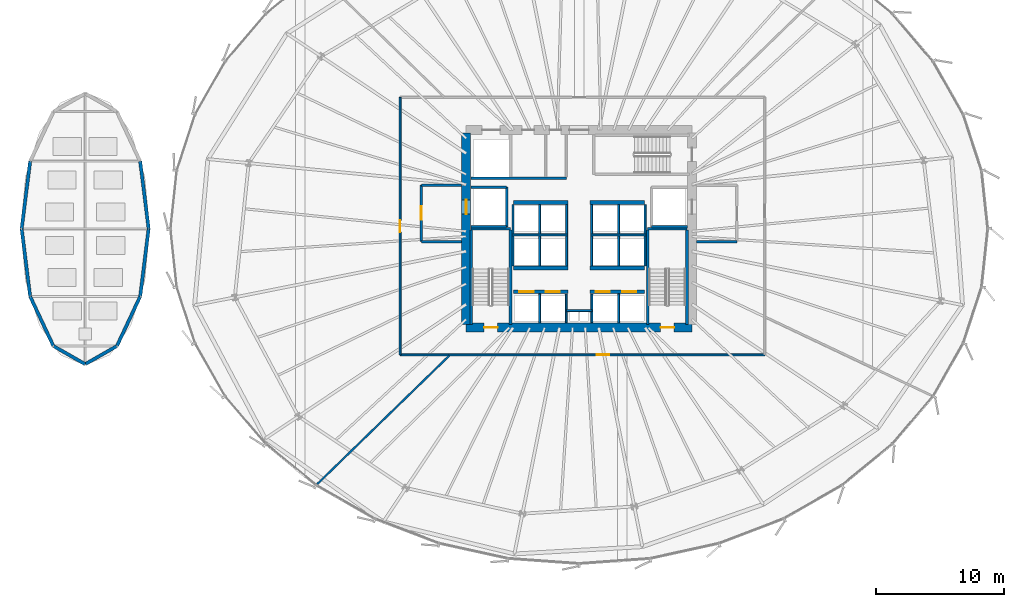
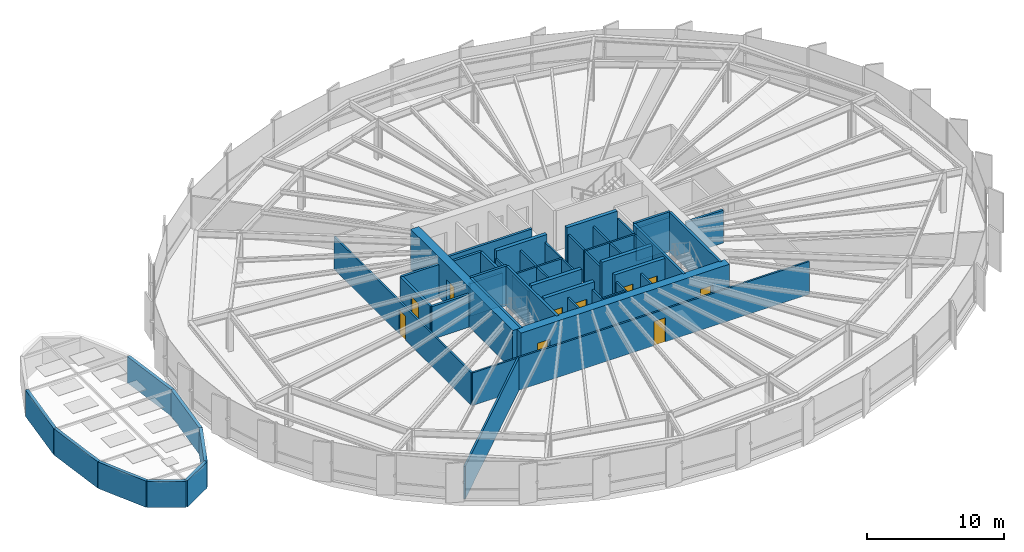
# One storey, part 29 of 38: 53 walls, 10 doors, 10 openings.
"""IFC4 building model written with IfcOpenShell, lengths in metres."""

from ifc_helpers import new_model, si_unit, direction, frame, frame_2d, origin, place, context, subcontext, project, spatial, rectangle, extrude, source, transform, mapped, material, layer, layer_set, type_object, element, fill, save


model = new_model("IFC4")

# Units and contexts
model_context = context("Model", 3, precision=1e-05, world=origin(), true_north=direction((0.0, 1.0)))
body_context = subcontext(model_context, "Body", "Model", "MODEL_VIEW")
ifc_project = project(units=[si_unit("LENGTHUNIT", "METRE"), si_unit("AREAUNIT", "SQUARE_METRE"), si_unit("VOLUMEUNIT", "CUBIC_METRE"), si_unit("PLANEANGLEUNIT", "RADIAN"), si_unit("MASSUNIT", "GRAM", prefix="KILO"), si_unit("THERMODYNAMICTEMPERATUREUNIT", "KELVIN")], contexts=[model_context])

# Site, building, storey
site_placement = place(None, origin())
site = spatial("IfcSite", under=ifc_project, at=site_placement, CompositionType="ELEMENT")
building_placement = place(site_placement, origin())
building = spatial("IfcBuilding", under=site, at=building_placement, Name="Kethvar Cultural Tower", CompositionType="ELEMENT")
storey_placement = place(building_placement, frame((0.0, 0.0, 29.60009765625)))
storey = spatial("IfcBuildingStorey", under=building, at=storey_placement, Name="L06", CompositionType="ELEMENT", Elevation=29.60009765625)

# Wall, openings, doors
ifc_material_1 = material(Name="Concrete C60/75", Category="concrete")
ifc_layer_1 = layer(ifc_material_1, 0.699951171875, Name="Concrete C60/75", Category="concrete")
ifc_layer_set_1 = layer_set([ifc_layer_1], Name="Concrete C60/75 (700 mm)")
wall_type_1 = type_object("IfcWallType", Name="WL-CORE-700", PredefinedType="SHEAR", material=ifc_layer_set_1)
wall_1_placement = place(storey_placement, frame((38.0, 20.10009765625, 0.0), z_axis=(0.0, 0.0, 1.0), x_axis=(1.0, 0.0, 0.0)))
wall_1 = element("IfcWall", 1, at=wall_1_placement, inside=storey, type_object=wall_type_1, Name="L06 Core Shear Wall S", PredefinedType="SHEAR", context=body_context, shape_type="SweptSolid", body=[
    extrude(rectangle(XDim=17.60009765625, YDim=0.699951171875, at=frame_2d((8.800048828125, 0.0))), origin(), (0.0, 0.0, 1.0), 3.5498046875),
])
opening_1_placement = place(wall_1_placement, frame((1.39990234375, 0.0, 0.0)))
opening_1 = element("IfcOpeningElement", 2, at=opening_1_placement, cuts=wall_1, Name="Opening D-L06-S1", PredefinedType="OPENING", context=body_context, shape_type="SweptSolid", body=[
    extrude(rectangle(XDim=1.050048828125, YDim=2.14990234375, at=frame_2d((0.52490234375, 1.074951171875))), frame((0.0, 0.35986328125, 0.0), z_axis=(0.0, -1.0, 0.0), x_axis=(1.0, 0.0, 0.0)), (0.0, 0.0, 1.0), 0.719970703125),
])
opening_2_placement = place(wall_1_placement, frame((15.14990234375, 0.0, 0.0)))
opening_2 = element("IfcOpeningElement", 3, at=opening_2_placement, cuts=wall_1, Name="Opening D-L06-ST2", PredefinedType="OPENING", context=body_context, shape_type="SweptSolid", body=[
    extrude(rectangle(XDim=1.050048828125, YDim=2.14990234375, at=frame_2d((0.52490234375, 1.074951171875))), frame((0.0, 0.35986328125, 0.0), z_axis=(0.0, -1.0, 0.0), x_axis=(1.0, 0.0, 0.0)), (0.0, 0.0, 1.0), 0.719970703125),
])
ifc_material_2 = material(Name="Steel S355J2", Category="steel")
door_type_1 = type_object("IfcDoorType", Name="DR-FD60-1050", OperationType="NOTDEFINED", PredefinedType="DOOR", material=ifc_material_2)
shared_shape_1 = source(origin(), body_context, "Body", "SweptSolid", [
    extrude(rectangle(XDim=1.050048828125, YDim=2.14990234375, at=frame_2d((0.52490234375, 1.074951171875))), frame((0.0, 0.02490234375, 0.0), z_axis=(0.0, -1.0, 0.0), x_axis=(1.0, 0.0, 0.0)), (0.0, 0.0, 1.0), 0.050048828125),
])
door_1_placement = place(opening_1_placement, origin())
door_1 = element("IfcDoor", 4, at=door_1_placement, inside=storey, type_object=door_type_1, Name="L06 Exit Stair 1 Door", OperationType="SINGLE_SWING_LEFT", OverallHeight=2.14990234375, OverallWidth=1.050048828125, PredefinedType="DOOR", context=body_context, shape_type="MappedRepresentation", body=[
    mapped(shared_shape_1, transform((0.0, 0.0, 0.0), scale=1.0)),
])
fill(opening_1, door_1)
door_2_placement = place(opening_2_placement, origin())
door_2 = element("IfcDoor", 5, at=door_2_placement, inside=storey, type_object=door_type_1, Name="L06 Exit Stair 2 Door", OperationType="SINGLE_SWING_RIGHT", OverallHeight=2.14990234375, OverallWidth=1.050048828125, PredefinedType="DOOR", context=body_context, shape_type="MappedRepresentation", body=[
    mapped(shared_shape_1, transform((0.0, 0.0, 0.0), scale=1.0)),
])
fill(opening_2, door_2)

# Wall, opening, door
wall_2_placement = place(storey_placement, frame((38.0, 35.260009765625, 0.0), z_axis=(0.0, 0.0, 1.0), x_axis=(0.0, -1.0, 0.0)))
wall_2 = element("IfcWall", 6, at=wall_2_placement, inside=storey, type_object=wall_type_1, Name="L06 Core Shear Wall W", PredefinedType="SHEAR", context=body_context, shape_type="SweptSolid", body=[
    extrude(rectangle(XDim=14.919921875, YDim=0.699951171875, at=frame_2d((7.4599609375, 0.0))), origin(), (0.0, 0.0, 1.0), 3.5498046875),
])
opening_3_placement = place(wall_2_placement, frame((5.2099609375, 0.0, 0.0)))
opening_3 = element("IfcOpeningElement", 7, at=opening_3_placement, cuts=wall_2, Name="Opening LD-1", PredefinedType="OPENING", context=body_context, shape_type="SweptSolid", body=[
    extrude(rectangle(XDim=1.10009765625, YDim=2.199951171875, at=frame_2d((0.550048828125, 1.10009765625))), frame((0.0, 0.35986328125, 0.0), z_axis=(0.0, -1.0, 0.0), x_axis=(1.0, 0.0, 0.0)), (0.0, 0.0, 1.0), 0.719970703125),
])
door_type_2 = type_object("IfcDoorType", Name="DR-LIFT-SLIDE-1100", OperationType="NOTDEFINED", PredefinedType="DOOR", material=ifc_material_2)
shared_shape_2 = source(origin(), body_context, "Body", "SweptSolid", [
    extrude(rectangle(XDim=1.10009765625, YDim=2.199951171875, at=frame_2d((0.550048828125, 1.10009765625))), frame((0.0, 0.02490234375, 0.0), z_axis=(0.0, -1.0, 0.0), x_axis=(1.0, 0.0, 0.0)), (0.0, 0.0, 1.0), 0.050048828125),
])
door_3_placement = place(opening_3_placement, origin())
door_3 = element("IfcDoor", 8, at=door_3_placement, inside=storey, type_object=door_type_2, Name="L06 Firefighting Lift Landing Door FFL-01", OperationType="SLIDING_TO_LEFT", OverallHeight=2.199951171875, OverallWidth=1.10009765625, PredefinedType="DOOR", context=body_context, shape_type="MappedRepresentation", body=[
    mapped(shared_shape_2, transform((0.0, 0.0, 0.0), scale=1.0)),
])
fill(opening_3, door_3)

# Walls
ifc_material_3 = material(Name="Gypsum Fireboard Partition")
ifc_layer_2 = layer(ifc_material_3, 0.14990234375, Name="Gypsum Fireboard Partition")
ifc_layer_set_2 = layer_set([ifc_layer_2], Name="Gypsum Fireboard Partition (150 mm)")
wall_type_2 = type_object("IfcWallType", Name="WL-FIRE-150", PredefinedType="PARTITIONING", material=ifc_layer_set_2)
wall_3_placement = place(storey_placement, frame((45.800048828125, 21.419921875, 0.0), z_axis=(0.0, 0.0, 1.0), x_axis=(1.0, 0.0, 0.0)))
element("IfcWall", 9, at=wall_3_placement, inside=storey, type_object=wall_type_2, Name="L06 Core Riser Wall", PredefinedType="PARTITIONING", context=body_context, shape_type="SweptSolid", body=[
    extrude(rectangle(XDim=2.0, YDim=0.14990234375, at=frame_2d((1.0, 0.0))), origin(), (0.0, 0.0, 1.0), 2.9248046875),
])
for number, where, z_axis, x_axis, name in (
    (10, (45.800048828125, 20.47998046875, 0.0), (0.0, 0.0, 1.0), (0.0, 1.0, 0.0), "L06 Core Riser West Wall"),
    (11, (47.800048828125, 20.47998046875, 0.0), (0.0, 0.0, 1.0), (0.0, 1.0, 0.0), "L06 Core Riser East Wall"),
):
    element("IfcWall", number, at=place(storey_placement, frame(where, z_axis=z_axis, x_axis=x_axis)), inside=storey, type_object=wall_type_2, Name=name, PredefinedType="PARTITIONING", context=body_context, shape_type="SweptSolid", body=[
        extrude(rectangle(XDim=2.239990234375, YDim=0.14990234375, at=frame_2d((1.1201171875, 0.0))), origin(), (0.0, 0.0, 1.0), 2.9248046875),
    ])
for number, where, z_axis, x_axis, name in (
    (12, (43.72509765625, 20.4599609375, 0.0), (0.0, 0.0, 1.0), (0.0, 1.0, 0.0), "L06 Low-Rise Lift Shaft Divider W"),
    (13, (49.875, 20.4599609375, 0.0), (0.0, 0.0, 1.0), (0.0, 1.0, 0.0), "L06 Low-Rise Lift Shaft Divider E"),
):
    element("IfcWall", number, at=place(storey_placement, frame(where, z_axis=z_axis, x_axis=x_axis)), inside=storey, type_object=wall_type_2, Name=name, PredefinedType="PARTITIONING", context=body_context, shape_type="SweptSolid", body=[
        extrude(rectangle(XDim=2.27001953125, YDim=0.14990234375, at=frame_2d((1.135009765625, 0.0))), origin(), (0.0, 0.0, 1.0), 2.9248046875),
    ])
wall_4_placement = place(storey_placement, frame((41.580078125, 27.324951171875, 0.0), z_axis=(0.0, 0.0, 1.0), x_axis=(1.0, 0.0, 0.0)))
element("IfcWall", 14, at=wall_4_placement, inside=storey, type_object=wall_type_2, Name="L06 Mid-High Lift Shaft Back Wall W", PredefinedType="PARTITIONING", context=body_context, shape_type="SweptSolid", body=[
    extrude(rectangle(XDim=4.31982421875, YDim=0.14990234375, at=frame_2d((2.159912109375, 0.0))), origin(), (0.0, 0.0, 1.0), 2.9248046875),
])
wall_5_placement = place(storey_placement, frame((47.699951171875, 27.324951171875, 0.0), z_axis=(0.0, 0.0, 1.0), x_axis=(1.0, 0.0, 0.0)))
element("IfcWall", 15, at=wall_5_placement, inside=storey, type_object=wall_type_2, Name="L06 Mid-High Lift Shaft Back Wall E", PredefinedType="PARTITIONING", context=body_context, shape_type="SweptSolid", body=[
    extrude(rectangle(XDim=4.320068359375, YDim=0.14990234375, at=frame_2d((2.16015625, 0.0))), origin(), (0.0, 0.0, 1.0), 2.9248046875),
])
for number, where, z_axis, x_axis, name in (
    (16, (41.64990234375, 24.919921875, 0.0), (0.0, 0.0, 1.0), (0.0, 1.0, 0.0), "L06 Mid-Rise Lift Shaft Outer Wall W"),
    (17, (43.72509765625, 24.919921875, 0.0), (0.0, 0.0, 1.0), (0.0, 1.0, 0.0), "L06 Mid-Rise Lift Shaft Divider W"),
    (18, (45.824951171875, 24.919921875, 0.0), (0.0, 0.0, 1.0), (0.0, 1.0, 0.0), "L06 Mid-Rise Lift Shaft Concourse Wall W"),
    (19, (47.77490234375, 24.919921875, 0.0), (0.0, 0.0, 1.0), (0.0, 1.0, 0.0), "L06 Mid-Rise Lift Shaft Concourse Wall E"),
    (20, (49.875, 24.919921875, 0.0), (0.0, 0.0, 1.0), (0.0, 1.0, 0.0), "L06 Mid-Rise Lift Shaft Divider E"),
    (21, (51.949951171875, 24.919921875, 0.0), (0.0, 0.0, 1.0), (0.0, 1.0, 0.0), "L06 Mid-Rise Lift Shaft Outer Wall E"),
):
    element("IfcWall", number, at=place(storey_placement, frame(where, z_axis=z_axis, x_axis=x_axis)), inside=storey, type_object=wall_type_2, Name=name, PredefinedType="PARTITIONING", context=body_context, shape_type="SweptSolid", body=[
        extrude(rectangle(XDim=2.320068359375, YDim=0.14990234375, at=frame_2d((1.16015625, 0.0))), origin(), (0.0, 0.0, 1.0), 2.9248046875),
    ])
for number, where, z_axis, x_axis, name in (
    (22, (41.64990234375, 27.409912109375, 0.0), (0.0, 0.0, 1.0), (0.0, 1.0, 0.0), "L06 High-Rise Lift Shaft Outer Wall W"),
    (23, (43.72509765625, 27.409912109375, 0.0), (0.0, 0.0, 1.0), (0.0, 1.0, 0.0), "L06 High-Rise Lift Shaft Divider W"),
    (24, (45.824951171875, 27.409912109375, 0.0), (0.0, 0.0, 1.0), (0.0, 1.0, 0.0), "L06 High-Rise Lift Shaft Concourse Wall W"),
    (25, (47.77490234375, 27.409912109375, 0.0), (0.0, 0.0, 1.0), (0.0, 1.0, 0.0), "L06 High-Rise Lift Shaft Concourse Wall E"),
    (26, (49.875, 27.409912109375, 0.0), (0.0, 0.0, 1.0), (0.0, 1.0, 0.0), "L06 High-Rise Lift Shaft Divider E"),
    (27, (51.949951171875, 27.409912109375, 0.0), (0.0, 0.0, 1.0), (0.0, 1.0, 0.0), "L06 High-Rise Lift Shaft Outer Wall E"),
):
    element("IfcWall", number, at=place(storey_placement, frame(where, z_axis=z_axis, x_axis=x_axis)), inside=storey, type_object=wall_type_2, Name=name, PredefinedType="PARTITIONING", context=body_context, shape_type="SweptSolid", body=[
        extrude(rectangle(XDim=2.27001953125, YDim=0.14990234375, at=frame_2d((1.135009765625, 0.0))), origin(), (0.0, 0.0, 1.0), 2.9248046875),
    ])

# Wall, opening, door
wall_6_placement = place(storey_placement, frame((32.85009765625, 17.97998046875, 0.0), z_axis=(0.0, 0.0, 1.0), x_axis=(1.0, 0.0, 0.0)))
wall_6 = element("IfcWall", 28, at=wall_6_placement, inside=storey, type_object=wall_type_2, Name="L06 Corridor Rated Wall S", PredefinedType="PARTITIONING", context=body_context, shape_type="SweptSolid", body=[
    extrude(rectangle(XDim=28.419921875, YDim=0.14990234375, at=frame_2d((14.2099609375, 0.0))), origin(), (0.0, 0.0, 1.0), 2.9248046875),
])
opening_4_placement = place(wall_6_placement, frame((15.333984375, 0.0, 0.0)))
opening_4 = element("IfcOpeningElement", 29, at=opening_4_placement, cuts=wall_6, Name="Opening D-L06-01", PredefinedType="OPENING", context=body_context, shape_type="SweptSolid", body=[
    extrude(rectangle(XDim=0.949951171875, YDim=2.14990234375, at=frame_2d((0.47509765625, 1.074951171875))), frame((0.0, 0.0849609375, 0.0), z_axis=(0.0, -1.0, 0.0), x_axis=(1.0, 0.0, 0.0)), (0.0, 0.0, 1.0), 0.169921875),
])
ifc_material_4 = material(Name="Architectural Oak Timber", Category="wood")
door_type_3 = type_object("IfcDoorType", Name="DR-FD30-950", OperationType="NOTDEFINED", PredefinedType="DOOR", material=ifc_material_4)
shared_shape_3 = source(origin(), body_context, "Body", "SweptSolid", [
    extrude(rectangle(XDim=0.949951171875, YDim=2.14990234375, at=frame_2d((0.47509765625, 1.074951171875))), frame((0.0, 0.02490234375, 0.0), z_axis=(0.0, -1.0, 0.0), x_axis=(1.0, 0.0, 0.0)), (0.0, 0.0, 1.0), 0.050048828125),
])
door_4_placement = place(opening_4_placement, origin())
door_4 = element("IfcDoor", 30, at=door_4_placement, inside=storey, type_object=door_type_3, Name="L06 Permanent Collection Library 01 Door", OperationType="SINGLE_SWING_LEFT", OverallHeight=2.14990234375, OverallWidth=0.949951171875, PredefinedType="DOOR", context=body_context, shape_type="MappedRepresentation", body=[
    mapped(shared_shape_3, transform((0.0, 0.0, 0.0), scale=1.0)),
])
fill(opening_4, door_4)

wall_7_placement = place(storey_placement, frame((32.85009765625, 38.0400390625, 0.0), z_axis=(0.0, 0.0, 1.0), x_axis=(0.0, -1.0, 0.0)))
wall_7 = element("IfcWall", 31, at=wall_7_placement, inside=storey, type_object=wall_type_2, Name="L06 Corridor Rated Wall W", PredefinedType="PARTITIONING", context=body_context, shape_type="SweptSolid", body=[
    extrude(rectangle(XDim=20.06005859375, YDim=0.14990234375, at=frame_2d((10.030029296875, 0.0))), origin(), (0.0, 0.0, 1.0), 2.9248046875),
])
opening_5_placement = place(wall_7_placement, frame((9.554931640625, 0.0, 0.0)))
opening_5 = element("IfcOpeningElement", 32, at=opening_5_placement, cuts=wall_7, Name="Opening D-L06-04", PredefinedType="OPENING", context=body_context, shape_type="SweptSolid", body=[
    extrude(rectangle(XDim=0.949951171875, YDim=2.14990234375, at=frame_2d((0.47509765625, 1.074951171875))), frame((0.0, 0.0849609375, 0.0), z_axis=(0.0, -1.0, 0.0), x_axis=(1.0, 0.0, 0.0)), (0.0, 0.0, 1.0), 0.169921875),
])
door_5_placement = place(opening_5_placement, origin())
door_5 = element("IfcDoor", 33, at=door_5_placement, inside=storey, type_object=door_type_3, Name="L06 Academic Study Lounge 04 Door", OperationType="SINGLE_SWING_RIGHT", OverallHeight=2.14990234375, OverallWidth=0.949951171875, PredefinedType="DOOR", context=body_context, shape_type="MappedRepresentation", body=[
    mapped(shared_shape_3, transform((0.0, 0.0, 0.0), scale=1.0)),
])
fill(opening_5, door_5)

# Walls
ifc_material_5 = material(Name="Concrete C40/50", Category="concrete")
ifc_layer_3 = layer(ifc_material_5, 0.199951171875, Name="Concrete C40/50", Category="concrete")
ifc_layer_set_3 = layer_set([ifc_layer_3], Name="Concrete C40/50 (200 mm)")
wall_type_3 = type_object("IfcWallType", Name="WL-FIRE-200", PredefinedType="PARTITIONING", material=ifc_layer_set_3)
wall_8_placement = place(storey_placement, frame((41.14990234375, 27.949951171875, 0.0), z_axis=(0.0, 0.0, 1.0), x_axis=(0.0, 1.0, 0.0)))
element("IfcWall", 34, at=wall_8_placement, inside=storey, type_object=wall_type_3, Name="L06 FFL-01 Shaft Inner Wall", PredefinedType="PARTITIONING", context=body_context, shape_type="SweptSolid", body=[
    extrude(rectangle(XDim=3.10009765625, YDim=0.199951171875, at=frame_2d((1.550048828125, 0.0))), origin(), (0.0, 0.0, 1.0), 2.9248046875),
])
for number, where, z_axis, x_axis, name in (
    (35, (38.360107421875, 27.949951171875, 0.0), (0.0, 0.0, 1.0), (1.0, 0.0, 0.0), "L06 FFL-01 Shaft South Wall"),
    (36, (38.360107421875, 31.050048828125, 0.0), (0.0, 0.0, 1.0), (1.0, 0.0, 0.0), "L06 FFL-01 Shaft North Wall"),
):
    element("IfcWall", number, at=place(storey_placement, frame(where, z_axis=z_axis, x_axis=x_axis)), inside=storey, type_object=wall_type_3, Name=name, PredefinedType="PARTITIONING", context=body_context, shape_type="SweptSolid", body=[
        extrude(rectangle(XDim=2.789794921875, YDim=0.199951171875, at=frame_2d((1.39501953125, 0.0))), origin(), (0.0, 0.0, 1.0), 2.9248046875),
    ])

# Wall, opening, door
wall_9_placement = place(storey_placement, frame((34.5, 31.199951171875, 0.0), z_axis=(0.0, 0.0, 1.0), x_axis=(0.0, -1.0, 0.0)))
wall_9 = element("IfcWall", 37, at=wall_9_placement, inside=storey, type_object=wall_type_3, Name="L06 Firefighting Lobby 1 Wall", PredefinedType="PARTITIONING", context=body_context, shape_type="SweptSolid", body=[
    extrude(rectangle(XDim=4.39990234375, YDim=0.199951171875, at=frame_2d((2.199951171875, 0.0))), origin(), (0.0, 0.0, 1.0), 2.9248046875),
])
opening_6_placement = place(wall_9_placement, frame((1.64990234375, 0.0, 0.0)))
opening_6 = element("IfcOpeningElement", 38, at=opening_6_placement, cuts=wall_9, Name="Opening D-L06-F1", PredefinedType="OPENING", context=body_context, shape_type="SweptSolid", body=[
    extrude(rectangle(XDim=1.050048828125, YDim=2.14990234375, at=frame_2d((0.52490234375, 1.074951171875))), frame((0.0, 0.10986328125, 0.0), z_axis=(0.0, -1.0, 0.0), x_axis=(1.0, 0.0, 0.0)), (0.0, 0.0, 1.0), 0.219970703125),
])
door_6_placement = place(opening_6_placement, origin())
door_6 = element("IfcDoor", 39, at=door_6_placement, inside=storey, type_object=door_type_1, Name="L06 Firefighting Lobby 1 Fire Door", OperationType="SINGLE_SWING_LEFT", OverallHeight=2.14990234375, OverallWidth=1.050048828125, PredefinedType="DOOR", context=body_context, shape_type="MappedRepresentation", body=[
    mapped(shared_shape_1, transform((0.0, 0.0, 0.0), scale=1.0)),
])
fill(opening_6, door_6)

# Walls
for number, where, z_axis, x_axis, name in (
    (40, (34.5, 26.800048828125, 0.0), (0.0, 0.0, 1.0), (1.0, 0.0, 0.0), "L06 FF Lobby 1 South Wall"),
    (41, (34.5, 31.199951171875, 0.0), (0.0, 0.0, 1.0), (1.0, 0.0, 0.0), "L06 FF Lobby 1 North Wall"),
):
    element("IfcWall", number, at=place(storey_placement, frame(where, z_axis=z_axis, x_axis=x_axis)), inside=storey, type_object=wall_type_3, Name=name, PredefinedType="PARTITIONING", context=body_context, shape_type="SweptSolid", body=[
        extrude(rectangle(XDim=3.139892578125, YDim=0.199951171875, at=frame_2d((1.56982421875, 0.0))), origin(), (0.0, 0.0, 1.0), 2.9248046875),
    ])
wall_10_placement = place(storey_placement, frame((52.449951171875, 27.949951171875, 0.0), z_axis=(0.0, 0.0, 1.0), x_axis=(1.0, 0.0, 0.0)))
element("IfcWall", 42, at=wall_10_placement, inside=storey, type_object=wall_type_3, Name="L06 FFL-02 Shaft South Wall", PredefinedType="PARTITIONING", context=body_context, shape_type="SweptSolid", body=[
    extrude(rectangle(XDim=2.7900390625, YDim=0.199951171875, at=frame_2d((1.39501953125, 0.0))), origin(), (0.0, 0.0, 1.0), 2.9248046875),
])
wall_11_placement = place(storey_placement, frame((55.9599609375, 26.800048828125, 0.0), z_axis=(0.0, 0.0, 1.0), x_axis=(1.0, 0.0, 0.0)))
element("IfcWall", 43, at=wall_11_placement, inside=storey, type_object=wall_type_3, Name="L06 FF Lobby 2 South Wall", PredefinedType="PARTITIONING", context=body_context, shape_type="SweptSolid", body=[
    extrude(rectangle(XDim=3.14013671875, YDim=0.199951171875, at=frame_2d((1.570068359375, 0.0))), origin(), (0.0, 0.0, 1.0), 2.9248046875),
])
wall_12_placement = place(storey_placement, frame((38.360107421875, 31.72998046875, 0.0), z_axis=(0.0, 0.0, 1.0), x_axis=(1.0, 0.0, 0.0)))
element("IfcWall", 44, at=wall_12_placement, inside=storey, type_object=wall_type_3, Name="L06 North Core Sanitary South Wall", PredefinedType="PARTITIONING", context=body_context, shape_type="SweptSolid", body=[
    extrude(rectangle(XDim=7.43994140625, YDim=0.199951171875, at=frame_2d((3.719970703125, 0.0))), origin(), (0.0, 0.0, 1.0), 2.9248046875),
])
ifc_layer_4 = layer(ifc_material_5, 0.260009765625, Name="Concrete C40/50", Category="concrete")
ifc_layer_set_4 = layer_set([ifc_layer_4], Name="Concrete C40/50 (260 mm)")
wall_type_4 = type_object("IfcWallType", Name="WL-LANTERN-DRUM-260", PredefinedType="SHEAR", material=ifc_layer_set_4)
for number, where, z_axis, x_axis, name in (
    (45, (13.25, 27.800048828125, 0.0), (0.0, 0.0, 1.0), (-0.124724241629, 0.992191445009, 0.0), "Atrium Lantern Drum Wall 01"),
    (46, (4.01318359375, 33.074951171875, 0.0), (0.0, 0.0, 1.0), (-0.124724241629, -0.992191445009, 0.0), "Atrium Lantern Drum Wall 06"),
):
    element("IfcWall", number, at=place(storey_placement, frame(where, z_axis=z_axis, x_axis=x_axis)), inside=storey, type_object=wall_type_4, Name=name, PredefinedType="SHEAR", context=body_context, shape_type="SweptSolid", body=[
        extrude(rectangle(XDim=5.31640625, YDim=0.260009765625, at=frame_2d((2.658203125, 0.0))), origin(), (0.0, 0.0, 1.0), 2.349853515625),
    ])
wall_13_placement = place(storey_placement, frame((3.35009765625, 27.800048828125, 0.0), z_axis=(0.0, 0.0, 1.0), x_axis=(0.12471855902, -0.99219215933, 0.0)))
element("IfcWall", 47, at=wall_13_placement, inside=storey, type_object=wall_type_4, Name="Atrium Lantern Drum Wall 07", PredefinedType="SHEAR", context=body_context, shape_type="SweptSolid", body=[
    extrude(rectangle(XDim=5.316650390625, YDim=0.260009765625, at=frame_2d((2.658203125, 0.0))), origin(), (0.0, 0.0, 1.0), 2.349853515625),
])
wall_14_placement = place(storey_placement, frame((4.01318359375, 22.52490234375, 0.0), z_axis=(0.0, 0.0, 1.0), x_axis=(0.424752064795, -0.905309716866, 0.0)))
element("IfcWall", 48, at=wall_14_placement, inside=storey, type_object=wall_type_4, Name="Atrium Lantern Drum Wall 08", PredefinedType="SHEAR", context=body_context, shape_type="SweptSolid", body=[
    extrude(rectangle(XDim=4.265380859375, YDim=0.260009765625, at=frame_2d((2.1328125, 0.0))), origin(), (0.0, 0.0, 1.0), 2.349853515625),
])
for number, where, z_axis, x_axis, name in (
    (49, (5.824951171875, 18.663330078125, 0.0), (0.0, 0.0, 1.0), (0.868395966645, -0.495871399774, 0.0), "Atrium Lantern Drum Wall 09"),
    (50, (8.300048828125, 17.25, 0.0), (0.0, 0.0, 1.0), (0.8683749021, 0.49590828729, 0.0), "Atrium Lantern Drum Wall 10"),
):
    element("IfcWall", number, at=place(storey_placement, frame(where, z_axis=z_axis, x_axis=x_axis)), inside=storey, type_object=wall_type_4, Name=name, PredefinedType="SHEAR", context=body_context, shape_type="SweptSolid", body=[
        extrude(rectangle(XDim=2.85009765625, YDim=0.260009765625, at=frame_2d((1.425048828125, 0.0))), origin(), (0.0, 0.0, 1.0), 2.349853515625),
    ])
wall_15_placement = place(storey_placement, frame((10.77490234375, 18.663330078125, 0.0), z_axis=(0.0, 0.0, 1.0), x_axis=(0.4247989733, 0.90528770691, 0.0)))
element("IfcWall", 51, at=wall_15_placement, inside=storey, type_object=wall_type_4, Name="Atrium Lantern Drum Wall 11", PredefinedType="SHEAR", context=body_context, shape_type="SweptSolid", body=[
    extrude(rectangle(XDim=4.265625, YDim=0.260009765625, at=frame_2d((2.1328125, 0.0))), origin(), (0.0, 0.0, 1.0), 2.349853515625),
])
wall_16_placement = place(storey_placement, frame((12.5869140625, 22.52490234375, 0.0), z_axis=(0.0, 0.0, 1.0), x_axis=(0.12471855902, 0.99219215933, 0.0)))
element("IfcWall", 52, at=wall_16_placement, inside=storey, type_object=wall_type_4, Name="Atrium Lantern Drum Wall 12", PredefinedType="SHEAR", context=body_context, shape_type="SweptSolid", body=[
    extrude(rectangle(XDim=5.316650390625, YDim=0.260009765625, at=frame_2d((2.658203125, 0.0))), origin(), (0.0, 0.0, 1.0), 2.349853515625),
])
ifc_material_6 = material(Name="Gypsum Acoustic Partition")
ifc_layer_5 = layer(ifc_material_6, 0.14990234375, Name="Gypsum Acoustic Partition")
ifc_layer_set_5 = layer_set([ifc_layer_5], Name="Gypsum Acoustic Partition (150 mm)")
wall_type_5 = type_object("IfcWallType", Name="WL-PART-150", PredefinedType="PARTITIONING", material=ifc_layer_set_5)
wall_17_placement = place(storey_placement, frame((36.691162109375, 17.92431640625, 0.0), z_axis=(0.0, 0.0, 1.0), x_axis=(-0.716863458564, -0.697213584044, 0.0)))
element("IfcWall", 53, at=wall_17_placement, inside=storey, type_object=wall_type_5, Name="L06 Radial Partition Wall 01", PredefinedType="PARTITIONING", context=body_context, shape_type="SweptSolid", body=[
    extrude(rectangle(XDim=14.36279296875, YDim=0.14990234375, at=frame_2d((7.181396484375, 0.0))), origin(), (0.0, 0.0, 1.0), 2.9248046875),
])

# Wall, openings, doors
ifc_material_7 = material(Name="Concrete C50/60", Category="concrete")
ifc_layer_6 = layer(ifc_material_7, 0.300048828125, Name="Concrete C50/60", Category="concrete")
ifc_layer_set_6 = layer_set([ifc_layer_6], Name="Concrete C50/60 (300 mm)")
wall_type_6 = type_object("IfcWallType", Name="WL-SHAFT-300", PredefinedType="SHEAR", material=ifc_layer_set_6)
wall_18_placement = place(storey_placement, frame((41.699951171875, 22.89990234375, 0.0), z_axis=(0.0, 0.0, 1.0), x_axis=(1.0, 0.0, 0.0)))
wall_18 = element("IfcWall", 54, at=wall_18_placement, inside=storey, type_object=wall_type_6, Name="L06 Core Lift Spine Wall MID1W", PredefinedType="SHEAR", context=body_context, shape_type="SweptSolid", body=[
    extrude(rectangle(XDim=4.25, YDim=0.300048828125, at=frame_2d((2.125, 0.0))), origin(), (0.0, 0.0, 1.0), 3.5498046875),
])
opening_7_placement = place(wall_18_placement, frame((0.449951171875, 0.0, 0.0)))
opening_7 = element("IfcOpeningElement", 55, at=opening_7_placement, cuts=wall_18, Name="Opening LD-L1", PredefinedType="OPENING", context=body_context, shape_type="SweptSolid", body=[
    extrude(rectangle(XDim=1.10009765625, YDim=2.199951171875, at=frame_2d((0.550048828125, 1.10009765625))), frame((0.0, 0.159912109375, 0.0), z_axis=(0.0, -1.0, 0.0), x_axis=(1.0, 0.0, 0.0)), (0.0, 0.0, 1.0), 0.320068359375),
])
opening_8_placement = place(wall_18_placement, frame((2.5, 0.0, 0.0)))
opening_8 = element("IfcOpeningElement", 56, at=opening_8_placement, cuts=wall_18, Name="Opening LD-L2", PredefinedType="OPENING", context=body_context, shape_type="SweptSolid", body=[
    extrude(rectangle(XDim=1.10009765625, YDim=2.199951171875, at=frame_2d((0.550048828125, 1.10009765625))), frame((0.0, 0.159912109375, 0.0), z_axis=(0.0, -1.0, 0.0), x_axis=(1.0, 0.0, 0.0)), (0.0, 0.0, 1.0), 0.320068359375),
])
door_7_placement = place(opening_7_placement, origin())
door_7 = element("IfcDoor", 57, at=door_7_placement, inside=storey, type_object=door_type_2, Name="L06 Low-Rise Lift Landing Door L1", OperationType="SLIDING_TO_LEFT", OverallHeight=2.199951171875, OverallWidth=1.10009765625, PredefinedType="DOOR", context=body_context, shape_type="MappedRepresentation", body=[
    mapped(shared_shape_2, transform((0.0, 0.0, 0.0), scale=1.0)),
])
fill(opening_7, door_7)
door_8_placement = place(opening_8_placement, origin())
door_8 = element("IfcDoor", 58, at=door_8_placement, inside=storey, type_object=door_type_2, Name="L06 Low-Rise Lift Landing Door L2", OperationType="SLIDING_TO_LEFT", OverallHeight=2.199951171875, OverallWidth=1.10009765625, PredefinedType="DOOR", context=body_context, shape_type="MappedRepresentation", body=[
    mapped(shared_shape_2, transform((0.0, 0.0, 0.0), scale=1.0)),
])
fill(opening_8, door_8)

wall_19_placement = place(storey_placement, frame((47.64990234375, 22.89990234375, 0.0), z_axis=(0.0, 0.0, 1.0), x_axis=(1.0, 0.0, 0.0)))
wall_19 = element("IfcWall", 59, at=wall_19_placement, inside=storey, type_object=wall_type_6, Name="L06 Core Lift Spine Wall MID1E", PredefinedType="SHEAR", context=body_context, shape_type="SweptSolid", body=[
    extrude(rectangle(XDim=4.25, YDim=0.300048828125, at=frame_2d((2.125, 0.0))), origin(), (0.0, 0.0, 1.0), 3.5498046875),
])
opening_9_placement = place(wall_19_placement, frame((0.449951171875, 0.0, 0.0)))
opening_9 = element("IfcOpeningElement", 60, at=opening_9_placement, cuts=wall_19, Name="Opening LD-L3", PredefinedType="OPENING", context=body_context, shape_type="SweptSolid", body=[
    extrude(rectangle(XDim=1.10009765625, YDim=2.199951171875, at=frame_2d((0.550048828125, 1.10009765625))), frame((0.0, 0.159912109375, 0.0), z_axis=(0.0, -1.0, 0.0), x_axis=(1.0, 0.0, 0.0)), (0.0, 0.0, 1.0), 0.320068359375),
])
opening_10_placement = place(wall_19_placement, frame((2.5, 0.0, 0.0)))
opening_10 = element("IfcOpeningElement", 61, at=opening_10_placement, cuts=wall_19, Name="Opening LD-L4", PredefinedType="OPENING", context=body_context, shape_type="SweptSolid", body=[
    extrude(rectangle(XDim=1.10009765625, YDim=2.199951171875, at=frame_2d((0.550048828125, 1.10009765625))), frame((0.0, 0.159912109375, 0.0), z_axis=(0.0, -1.0, 0.0), x_axis=(1.0, 0.0, 0.0)), (0.0, 0.0, 1.0), 0.320068359375),
])
door_9_placement = place(opening_9_placement, origin())
door_9 = element("IfcDoor", 62, at=door_9_placement, inside=storey, type_object=door_type_2, Name="L06 Low-Rise Lift Landing Door L3", OperationType="SLIDING_TO_LEFT", OverallHeight=2.199951171875, OverallWidth=1.10009765625, PredefinedType="DOOR", context=body_context, shape_type="MappedRepresentation", body=[
    mapped(shared_shape_2, transform((0.0, 0.0, 0.0), scale=1.0)),
])
fill(opening_9, door_9)
door_10_placement = place(opening_10_placement, origin())
door_10 = element("IfcDoor", 63, at=door_10_placement, inside=storey, type_object=door_type_2, Name="L06 Low-Rise Lift Landing Door L4", OperationType="SLIDING_TO_LEFT", OverallHeight=2.199951171875, OverallWidth=1.10009765625, PredefinedType="DOOR", context=body_context, shape_type="MappedRepresentation", body=[
    mapped(shared_shape_2, transform((0.0, 0.0, 0.0), scale=1.0)),
])
fill(opening_10, door_10)

# Walls
for number, where, z_axis, x_axis, name in (
    (64, (41.699951171875, 24.75, 0.0), (0.0, 0.0, 1.0), (1.0, 0.0, 0.0), "L06 Core Lift Spine Wall MID2W"),
    (65, (47.64990234375, 24.75, 0.0), (0.0, 0.0, 1.0), (1.0, 0.0, 0.0), "L06 Core Lift Spine Wall MID2E"),
    (66, (41.699951171875, 29.85009765625, 0.0), (0.0, 0.0, 1.0), (1.0, 0.0, 0.0), "L06 Core Lift Spine Wall MID3W"),
    (67, (47.64990234375, 29.85009765625, 0.0), (0.0, 0.0, 1.0), (1.0, 0.0, 0.0), "L06 Core Lift Spine Wall MID3E"),
):
    element("IfcWall", number, at=place(storey_placement, frame(where, z_axis=z_axis, x_axis=x_axis)), inside=storey, type_object=wall_type_6, Name=name, PredefinedType="SHEAR", context=body_context, shape_type="SweptSolid", body=[
        extrude(rectangle(XDim=4.25, YDim=0.300048828125, at=frame_2d((2.125, 0.0))), origin(), (0.0, 0.0, 1.0), 3.5498046875),
    ])
ifc_layer_7 = layer(ifc_material_7, 0.199951171875, Name="Concrete C50/60", Category="concrete")
ifc_layer_set_7 = layer_set([ifc_layer_7], Name="Concrete C50/60 (200 mm)")
wall_type_7 = type_object("IfcWallType", Name="WL-STSHAFT-200", PredefinedType="SHEAR", material=ifc_layer_set_7)
wall_20_placement = place(storey_placement, frame((38.389892578125, 27.800048828125, 0.0), z_axis=(0.0, 0.0, 1.0), x_axis=(1.0, 0.0, 0.0)))
element("IfcWall", 68, at=wall_20_placement, inside=storey, type_object=wall_type_7, Name="L06 ST-01 Stair Shaft Wall FAR", PredefinedType="SHEAR", context=body_context, shape_type="SweptSolid", body=[
    extrude(rectangle(XDim=3.06005859375, YDim=0.199951171875, at=frame_2d((1.530029296875, 0.0))), origin(), (0.0, 0.0, 1.0), 3.5498046875),
])
for number, where, z_axis, x_axis, name in (
    (69, (41.449951171875, 27.699951171875, 0.0), (0.0, 0.0, 1.0), (0.0, -1.0, 0.0), "L06 ST-01 Stair Shaft Wall LEFT"),
    (70, (38.389892578125, 20.35009765625, 0.0), (0.0, 0.0, 1.0), (0.0, 1.0, 0.0), "L06 ST-01 Stair Shaft Wall RIGHT"),
):
    element("IfcWall", number, at=place(storey_placement, frame(where, z_axis=z_axis, x_axis=x_axis)), inside=storey, type_object=wall_type_7, Name=name, PredefinedType="SHEAR", context=body_context, shape_type="SweptSolid", body=[
        extrude(rectangle(XDim=7.349853515625, YDim=0.199951171875, at=frame_2d((3.6748046875, 0.0))), origin(), (0.0, 0.0, 1.0), 3.5498046875),
    ])
wall_21_placement = place(storey_placement, frame((52.14990234375, 27.800048828125, 0.0), z_axis=(0.0, 0.0, 1.0), x_axis=(1.0, 0.0, 0.0)))
element("IfcWall", 71, at=wall_21_placement, inside=storey, type_object=wall_type_7, Name="L06 ST-02 Stair Shaft Wall FAR", PredefinedType="SHEAR", context=body_context, shape_type="SweptSolid", body=[
    extrude(rectangle(XDim=3.06005859375, YDim=0.199951171875, at=frame_2d((1.530029296875, 0.0))), origin(), (0.0, 0.0, 1.0), 3.5498046875),
])
for number, where, z_axis, x_axis, name in (
    (72, (55.2099609375, 27.699951171875, 0.0), (0.0, 0.0, 1.0), (0.0, -1.0, 0.0), "L06 ST-02 Stair Shaft Wall LEFT"),
    (73, (52.14990234375, 20.35009765625, 0.0), (0.0, 0.0, 1.0), (0.0, 1.0, 0.0), "L06 ST-02 Stair Shaft Wall RIGHT"),
):
    element("IfcWall", number, at=place(storey_placement, frame(where, z_axis=z_axis, x_axis=x_axis)), inside=storey, type_object=wall_type_7, Name=name, PredefinedType="SHEAR", context=body_context, shape_type="SweptSolid", body=[
        extrude(rectangle(XDim=7.349853515625, YDim=0.199951171875, at=frame_2d((3.6748046875, 0.0))), origin(), (0.0, 0.0, 1.0), 3.5498046875),
    ])

save(model, "model.ifc")
